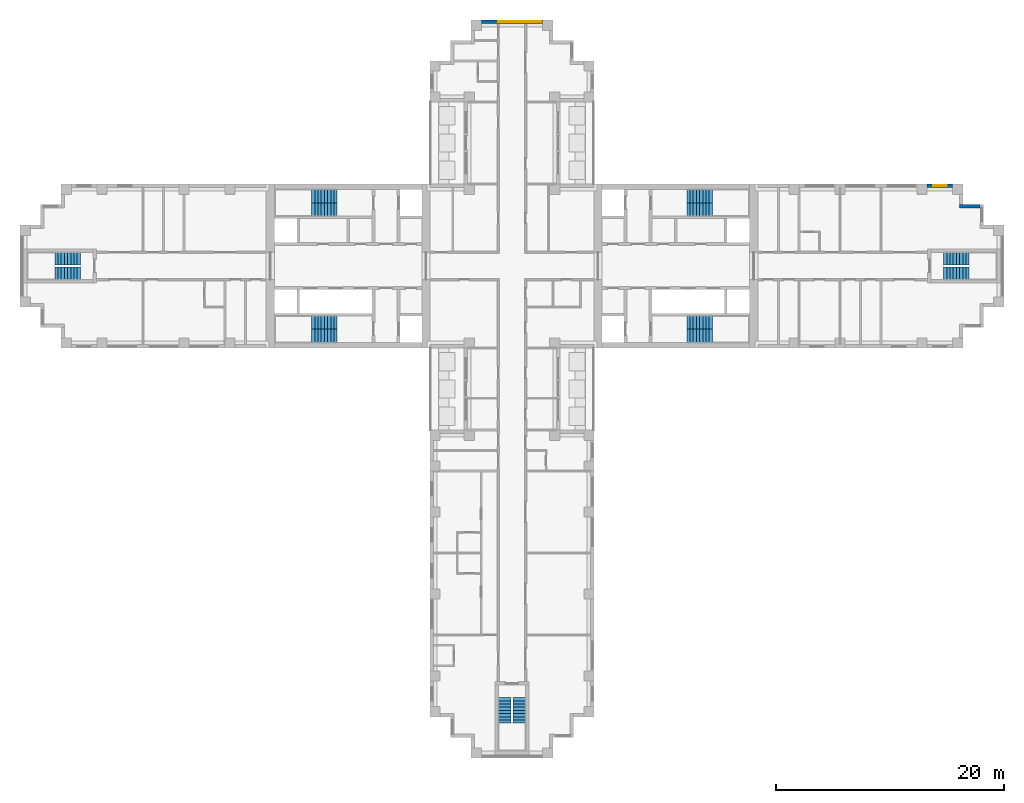
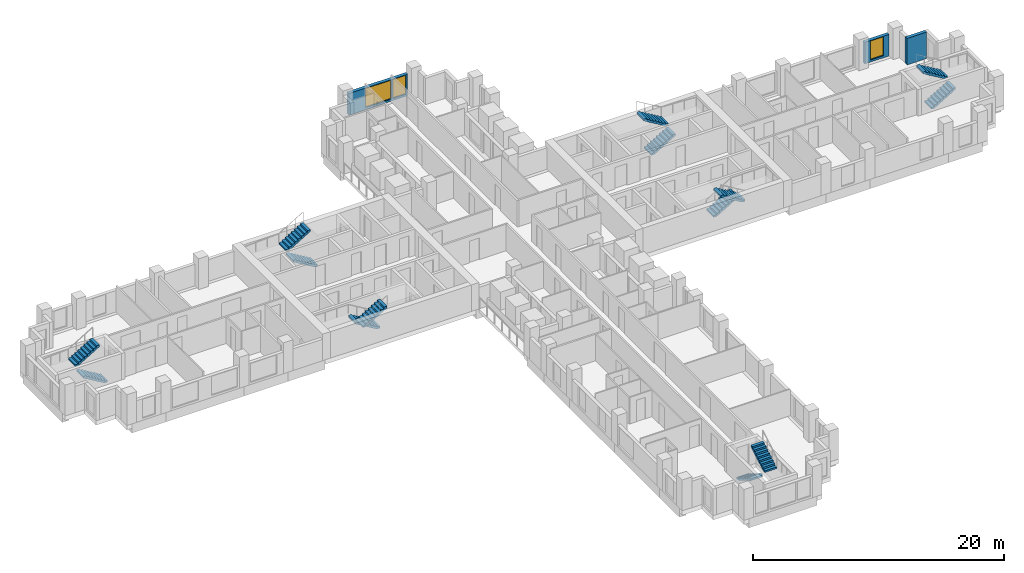
# One storey, part 11 of 13: 14 stair flights, 3 walls, 3 windows, 3 openings, 7 elements without a shape of their own.
"""IFC4 building model written with IfcOpenShell, lengths in metres."""

from ifc_helpers import new_model, si_unit, direction, frame, frame_2d, origin, place, context, subcontext, project, spatial, polyline, rectangle, outline, extrude, material, layer, layer_set, type_object, element, fill, aggregate, save


model = new_model("IFC4")

# Units and contexts
model_context = context("Model", 3, precision=1e-05, world=origin(), true_north=direction((0.0, 1.0)))
body_context = subcontext(model_context, "Body", "Model", "MODEL_VIEW")
ifc_project = project(units=[si_unit("LENGTHUNIT", "METRE"), si_unit("AREAUNIT", "SQUARE_METRE"), si_unit("VOLUMEUNIT", "CUBIC_METRE"), si_unit("PLANEANGLEUNIT", "RADIAN"), si_unit("MASSUNIT", "GRAM", prefix="KILO")], contexts=[model_context])

# Site, building, storey
site_placement = place(None, origin())
site = spatial("IfcSite", under=ifc_project, at=site_placement, CompositionType="ELEMENT")
building_placement = place(site_placement, origin())
building = spatial("IfcBuilding", under=site, at=building_placement, Name="Fustian Cross Tower", CompositionType="ELEMENT")
storey_placement = place(building_placement, frame((0.0, 0.0, 75.89990234375)))
storey = spatial("IfcBuildingStorey", under=building, at=storey_placement, Name="L23", CompositionType="ELEMENT", Elevation=75.89990234375)

# Wall
ifc_material_1 = material(Name="Dark aluminium cladding on insulated backing wall", Category="aluminium")
ifc_layer = layer(ifc_material_1, 0.300048828125)
ifc_layer_set = layer_set([ifc_layer], Name="Dark aluminium cladding on insulated backing wall")
wall_type = type_object("IfcWallType", Name="XW1 EXTERNAL WALL 300", PredefinedType="SOLIDWALL", material=ifc_layer_set)
wall_1_placement = place(storey_placement, frame((41.10009765625, 5.25, 0.0), z_axis=(0.0, 0.0, 1.0), x_axis=(-1.0, 0.0, 0.0)))
element("IfcWall", 1, at=wall_1_placement, inside=storey, type_object=wall_type, Name="External wall", PredefinedType="SOLIDWALL", context=body_context, shape_type="SweptSolid", body=[
    extrude(rectangle(XDim=1.800048828125, YDim=0.300048828125, at=frame_2d((0.89990234375, 0.0))), origin(), (0.0, 0.0, 1.0), 2.5751953125),
])

# Wall, opening, window
wall_2_placement = place(storey_placement, frame((38.699951171875, 7.050048828125, 0.0), z_axis=(0.0, 0.0, 1.0), x_axis=(-1.0, 0.0, 0.0)))
wall_2 = element("IfcWall", 2, at=wall_2_placement, inside=storey, type_object=wall_type, Name="External wall", PredefinedType="SOLIDWALL", context=body_context, shape_type="SweptSolid", body=[
    extrude(rectangle(XDim=2.25, YDim=0.300048828125, at=frame_2d((1.125, 0.0))), origin(), (0.0, 0.0, 1.0), 2.10009765625),
])
opening_1_placement = place(wall_2_placement, frame((0.52490234375, 0.0, 0.199951171875)))
opening_1 = element("IfcOpeningElement", 3, at=opening_1_placement, cuts=wall_2, Name="Opening WN3", PredefinedType="OPENING", context=body_context, shape_type="SweptSolid", body=[
    extrude(rectangle(XDim=1.199951171875, YDim=1.85009765625, at=frame_2d((0.60009765625, 0.925048828125))), frame((0.0, 0.159912109375, 0.0), z_axis=(0.0, -1.0, 0.0), x_axis=(1.0, 0.0, 0.0)), (0.0, 0.0, 1.0), 0.320068359375),
])
ifc_material_2 = material(Name="Dark anodised aluminium and double glazing", Category="aluminium")
window_type_1 = type_object("IfcWindowType", Name="WN3 WINDOW 1200X1850", PartitioningType="SINGLE_PANEL", PredefinedType="WINDOW", material=ifc_material_2)
window_1_placement = place(opening_1_placement, origin())
window_1 = element("IfcWindow", 4, at=window_1_placement, inside=storey, type_object=window_type_1, Name="Window", OverallHeight=1.85009765625, OverallWidth=1.199951171875, PartitioningType="SINGLE_PANEL", PredefinedType="WINDOW", context=body_context, shape_type="SweptSolid", body=[
    extrude(rectangle(XDim=1.199951171875, YDim=1.85009765625, at=frame_2d((0.60009765625, 0.925048828125))), frame((0.0, 0.030029296875, 0.0), z_axis=(0.0, -1.0, 0.0), x_axis=(1.0, 0.0, 0.0)), (0.0, 0.0, 1.0), 0.06005859375),
])
fill(opening_1, window_1)

# Wall, openings, windows
wall_3_placement = place(storey_placement, frame((2.699951171875, 21.449951171875, 0.0), z_axis=(0.0, 0.0, 1.0), x_axis=(-1.0, 0.0, 0.0)))
wall_3 = element("IfcWall", 5, at=wall_3_placement, inside=storey, type_object=wall_type, Name="External wall", PredefinedType="SOLIDWALL", context=body_context, shape_type="SweptSolid", body=[
    extrude(rectangle(XDim=5.39990234375, YDim=0.300048828125, at=frame_2d((2.699951171875, 0.0))), origin(), (0.0, 0.0, 1.0), 2.10009765625),
])
opening_2_placement = place(wall_3_placement, frame((1.5, 0.0, 0.199951171875)))
opening_2 = element("IfcOpeningElement", 6, at=opening_2_placement, cuts=wall_3, Name="Opening WN1", PredefinedType="OPENING", context=body_context, shape_type="SweptSolid", body=[
    extrude(rectangle(XDim=2.39990234375, YDim=1.85009765625, at=frame_2d((1.199951171875, 0.925048828125))), frame((0.0, 0.159912109375, 0.0), z_axis=(0.0, -1.0, 0.0), x_axis=(1.0, 0.0, 0.0)), (0.0, 0.0, 1.0), 0.320068359375),
])
opening_3_placement = place(wall_3_placement, frame((0.14990234375, 0.0, 0.199951171875)))
opening_3 = element("IfcOpeningElement", 7, at=opening_3_placement, cuts=wall_3, Name="Opening WN3", PredefinedType="OPENING", context=body_context, shape_type="SweptSolid", body=[
    extrude(rectangle(XDim=1.199951171875, YDim=1.85009765625, at=frame_2d((0.60009765625, 0.925048828125))), frame((0.0, 0.159912109375, 0.0), z_axis=(0.0, -1.0, 0.0), x_axis=(1.0, 0.0, 0.0)), (0.0, 0.0, 1.0), 0.320068359375),
])
ifc_material_3 = material(Name="Dark anodised aluminium and double glazing", Category="aluminium")
window_type_2 = type_object("IfcWindowType", Name="WN1 WINDOW 2400X1850", PartitioningType="SINGLE_PANEL", PredefinedType="WINDOW", material=ifc_material_3)
window_2_placement = place(opening_2_placement, origin())
window_2 = element("IfcWindow", 8, at=window_2_placement, inside=storey, type_object=window_type_2, Name="Window", OverallHeight=1.85009765625, OverallWidth=2.39990234375, PartitioningType="SINGLE_PANEL", PredefinedType="WINDOW", context=body_context, shape_type="SweptSolid", body=[
    extrude(rectangle(XDim=2.39990234375, YDim=1.85009765625, at=frame_2d((1.199951171875, 0.925048828125))), frame((0.0, 0.030029296875, 0.0), z_axis=(0.0, -1.0, 0.0), x_axis=(1.0, 0.0, 0.0)), (0.0, 0.0, 1.0), 0.06005859375),
])
fill(opening_2, window_2)
window_3_placement = place(opening_3_placement, origin())
window_3 = element("IfcWindow", 9, at=window_3_placement, inside=storey, type_object=window_type_1, Name="Window", OverallHeight=1.85009765625, OverallWidth=1.199951171875, PartitioningType="SINGLE_PANEL", PredefinedType="WINDOW", context=body_context, shape_type="SweptSolid", body=[
    extrude(rectangle(XDim=1.199951171875, YDim=1.85009765625, at=frame_2d((0.60009765625, 0.925048828125))), frame((0.0, 0.030029296875, 0.0), z_axis=(0.0, -1.0, 0.0), x_axis=(1.0, 0.0, 0.0)), (0.0, 0.0, 1.0), 0.06005859375),
])
fill(opening_3, window_3)

# Stair, stair flights
ifc_material_4 = material(Name="Concrete C50/60", Category="concrete")
stair_type_1 = type_object("IfcStairType", Name="STAIR 1100 HALF TURN", PredefinedType="HALF_TURN_STAIR", material=ifc_material_4)
stair_1_placement = place(storey_placement, origin())
stair_1 = element("IfcStair", 10, at=stair_1_placement, inside=storey, type_object=stair_type_1, Name="Stair ST6", PredefinedType="HALF_TURN_STAIR")
ifc_material_5 = material(Name="Concrete C50/60", Category="concrete")
stair_flight_type_1 = type_object("IfcStairFlightType", Name="STAIR FLIGHT 1100", PredefinedType="STRAIGHT", material=ifc_material_5)
stair_flight_1_placement = place(storey_placement, frame((-0.64990234375, -37.89990234375, 0.0), z_axis=(0.0, 0.0, 1.0), x_axis=(0.0, -1.0, 0.0)))
stair_flight_1 = element("IfcStairFlight", 11, at=stair_flight_1_placement, type_object=stair_flight_type_1, Name="ST6 flight 1", NumberOfRisers=9, NumberOfTreads=8, PredefinedType="STRAIGHT", RiserHeight=0.166666667, TreadLength=0.28, context=body_context, shape_type="SweptSolid", body=[
    extrude(outline(polyline([(0.0, 0.0), (0.0, 0.166748046875), (0.280029296875, 0.166748046875), (0.280029296875, 0.333251953125), (0.56005859375, 0.333251953125), (0.56005859375, 0.5), (0.840087890625, 0.5), (0.840087890625, 0.666748046875), (1.1201171875, 0.666748046875), (1.1201171875, 0.833251953125), (1.39990234375, 0.833251953125), (1.39990234375, 1.0), (1.679931640625, 1.0), (1.679931640625, 1.166748046875), (1.9599609375, 1.166748046875), (1.9599609375, 1.333251953125), (2.239990234375, 1.333251953125), (2.239990234375, 1.5), (2.239990234375, 1.158935546875), (0.29296875, 0.0), (0.0, 0.0)])), frame((0.0, 0.550048828125, 0.0), z_axis=(0.0, -1.0, 0.0), x_axis=(1.0, 0.0, 0.0)), (0.0, 0.0, 1.0), 1.10009765625),
])
stair_flight_2_placement = place(storey_placement, frame((0.64990234375, -40.139892578125, 1.5), z_axis=(0.0, 0.0, 1.0), x_axis=(0.0, 1.0, 0.0)))
stair_flight_2 = element("IfcStairFlight", 12, at=stair_flight_2_placement, type_object=stair_flight_type_1, Name="ST6 flight 2", NumberOfRisers=9, NumberOfTreads=8, PredefinedType="STRAIGHT", RiserHeight=0.166666667, TreadLength=0.28, context=body_context, shape_type="SweptSolid", body=[
    extrude(outline(polyline([(0.0, 0.0), (0.0, 0.166748046875), (0.280029296875, 0.166748046875), (0.280029296875, 0.333251953125), (0.56005859375, 0.333251953125), (0.56005859375, 0.5), (0.840087890625, 0.5), (0.840087890625, 0.666748046875), (1.1201171875, 0.666748046875), (1.1201171875, 0.833251953125), (1.39990234375, 0.833251953125), (1.39990234375, 1.0), (1.679931640625, 1.0), (1.679931640625, 1.166748046875), (1.9599609375, 1.166748046875), (1.9599609375, 1.333251953125), (2.239990234375, 1.333251953125), (2.239990234375, 1.5), (2.239990234375, 1.158935546875), (0.29296875, 0.0), (0.0, 0.0)])), frame((0.0, 0.550048828125, 0.0), z_axis=(0.0, -1.0, 0.0), x_axis=(1.0, 0.0, 0.0)), (0.0, 0.0, 1.0), 1.10009765625),
])
aggregate(stair_1, [stair_flight_1, stair_flight_2])

stair_2_placement = place(storey_placement, origin())
stair_2 = element("IfcStair", 13, at=stair_2_placement, inside=storey, type_object=stair_type_1, Name="Stair ST8", PredefinedType="HALF_TURN_STAIR")
stair_flight_3_placement = place(storey_placement, frame((37.89990234375, -0.64990234375, 0.0), z_axis=(0.0, 0.0, 1.0), x_axis=(1.0, 0.0, 0.0)))
stair_flight_3 = element("IfcStairFlight", 14, at=stair_flight_3_placement, type_object=stair_flight_type_1, Name="ST8 flight 1", NumberOfRisers=9, NumberOfTreads=8, PredefinedType="STRAIGHT", RiserHeight=0.166666667, TreadLength=0.28, context=body_context, shape_type="SweptSolid", body=[
    extrude(outline(polyline([(0.0, 0.0), (0.0, 0.166748046875), (0.280029296875, 0.166748046875), (0.280029296875, 0.333251953125), (0.56005859375, 0.333251953125), (0.56005859375, 0.5), (0.840087890625, 0.5), (0.840087890625, 0.666748046875), (1.1201171875, 0.666748046875), (1.1201171875, 0.833251953125), (1.39990234375, 0.833251953125), (1.39990234375, 1.0), (1.679931640625, 1.0), (1.679931640625, 1.166748046875), (1.9599609375, 1.166748046875), (1.9599609375, 1.333251953125), (2.239990234375, 1.333251953125), (2.239990234375, 1.5), (2.239990234375, 1.158935546875), (0.29296875, 0.0), (0.0, 0.0)])), frame((0.0, 0.550048828125, 0.0), z_axis=(0.0, -1.0, 0.0), x_axis=(1.0, 0.0, 0.0)), (0.0, 0.0, 1.0), 1.10009765625),
])
stair_flight_4_placement = place(storey_placement, frame((40.139892578125, 0.64990234375, 1.5), z_axis=(0.0, 0.0, 1.0), x_axis=(-1.0, 0.0, 0.0)))
stair_flight_4 = element("IfcStairFlight", 15, at=stair_flight_4_placement, type_object=stair_flight_type_1, Name="ST8 flight 2", NumberOfRisers=9, NumberOfTreads=8, PredefinedType="STRAIGHT", RiserHeight=0.166666667, TreadLength=0.28, context=body_context, shape_type="SweptSolid", body=[
    extrude(outline(polyline([(0.0, 0.0), (0.0, 0.166748046875), (0.280029296875, 0.166748046875), (0.280029296875, 0.333251953125), (0.56005859375, 0.333251953125), (0.56005859375, 0.5), (0.840087890625, 0.5), (0.840087890625, 0.666748046875), (1.1201171875, 0.666748046875), (1.1201171875, 0.833251953125), (1.39990234375, 0.833251953125), (1.39990234375, 1.0), (1.679931640625, 1.0), (1.679931640625, 1.166748046875), (1.9599609375, 1.166748046875), (1.9599609375, 1.333251953125), (2.239990234375, 1.333251953125), (2.239990234375, 1.5), (2.239990234375, 1.158935546875), (0.29296875, 0.0), (0.0, 0.0)])), frame((0.0, 0.550048828125, 0.0), z_axis=(0.0, -1.0, 0.0), x_axis=(1.0, 0.0, 0.0)), (0.0, 0.0, 1.0), 1.10009765625),
])
aggregate(stair_2, [stair_flight_3, stair_flight_4])

stair_3_placement = place(storey_placement, origin())
stair_3 = element("IfcStair", 16, at=stair_3_placement, inside=storey, type_object=stair_type_1, Name="Stair ST9", PredefinedType="HALF_TURN_STAIR")
stair_flight_5_placement = place(storey_placement, frame((-37.89990234375, -0.64990234375, 0.0), z_axis=(0.0, 0.0, 1.0), x_axis=(-1.0, 0.0, 0.0)))
stair_flight_5 = element("IfcStairFlight", 17, at=stair_flight_5_placement, type_object=stair_flight_type_1, Name="ST9 flight 1", NumberOfRisers=9, NumberOfTreads=8, PredefinedType="STRAIGHT", RiserHeight=0.166666667, TreadLength=0.28, context=body_context, shape_type="SweptSolid", body=[
    extrude(outline(polyline([(0.0, 0.0), (0.0, 0.166748046875), (0.280029296875, 0.166748046875), (0.280029296875, 0.333251953125), (0.56005859375, 0.333251953125), (0.56005859375, 0.5), (0.840087890625, 0.5), (0.840087890625, 0.666748046875), (1.1201171875, 0.666748046875), (1.1201171875, 0.833251953125), (1.39990234375, 0.833251953125), (1.39990234375, 1.0), (1.679931640625, 1.0), (1.679931640625, 1.166748046875), (1.9599609375, 1.166748046875), (1.9599609375, 1.333251953125), (2.239990234375, 1.333251953125), (2.239990234375, 1.5), (2.239990234375, 1.158935546875), (0.29296875, 0.0), (0.0, 0.0)])), frame((0.0, 0.550048828125, 0.0), z_axis=(0.0, -1.0, 0.0), x_axis=(1.0, 0.0, 0.0)), (0.0, 0.0, 1.0), 1.10009765625),
])
stair_flight_6_placement = place(storey_placement, frame((-40.139892578125, 0.64990234375, 1.5), z_axis=(0.0, 0.0, 1.0), x_axis=(1.0, 0.0, 0.0)))
stair_flight_6 = element("IfcStairFlight", 18, at=stair_flight_6_placement, type_object=stair_flight_type_1, Name="ST9 flight 2", NumberOfRisers=9, NumberOfTreads=8, PredefinedType="STRAIGHT", RiserHeight=0.166666667, TreadLength=0.28, context=body_context, shape_type="SweptSolid", body=[
    extrude(outline(polyline([(0.0, 0.0), (0.0, 0.166748046875), (0.280029296875, 0.166748046875), (0.280029296875, 0.333251953125), (0.56005859375, 0.333251953125), (0.56005859375, 0.5), (0.840087890625, 0.5), (0.840087890625, 0.666748046875), (1.1201171875, 0.666748046875), (1.1201171875, 0.833251953125), (1.39990234375, 0.833251953125), (1.39990234375, 1.0), (1.679931640625, 1.0), (1.679931640625, 1.166748046875), (1.9599609375, 1.166748046875), (1.9599609375, 1.333251953125), (2.239990234375, 1.333251953125), (2.239990234375, 1.5), (2.239990234375, 1.158935546875), (0.29296875, 0.0), (0.0, 0.0)])), frame((0.0, 0.550048828125, 0.0), z_axis=(0.0, -1.0, 0.0), x_axis=(1.0, 0.0, 0.0)), (0.0, 0.0, 1.0), 1.10009765625),
])
aggregate(stair_3, [stair_flight_5, stair_flight_6])

ifc_material_6 = material(Name="Concrete C50/60", Category="concrete")
stair_type_2 = type_object("IfcStairType", Name="STAIR 1150 HALF TURN", PredefinedType="HALF_TURN_STAIR", material=ifc_material_6)
stair_4_placement = place(storey_placement, origin())
stair_4 = element("IfcStair", 19, at=stair_4_placement, inside=storey, type_object=stair_type_2, Name="Stair ST1", PredefinedType="HALF_TURN_STAIR")
ifc_material_7 = material(Name="Concrete C50/60", Category="concrete")
stair_flight_type_2 = type_object("IfcStairFlightType", Name="STAIR FLIGHT 1150", PredefinedType="STRAIGHT", material=ifc_material_7)
stair_flight_7_placement = place(storey_placement, frame((15.35009765625, 4.97509765625, 0.0), z_axis=(0.0, 0.0, 1.0), x_axis=(1.0, 0.0, 0.0)))
stair_flight_7 = element("IfcStairFlight", 20, at=stair_flight_7_placement, type_object=stair_flight_type_2, Name="ST1 flight 1", NumberOfRisers=9, NumberOfTreads=8, PredefinedType="STRAIGHT", RiserHeight=0.166666667, TreadLength=0.28, context=body_context, shape_type="SweptSolid", body=[
    extrude(outline(polyline([(0.0, 0.0), (0.0, 0.166748046875), (0.280029296875, 0.166748046875), (0.280029296875, 0.333251953125), (0.56005859375, 0.333251953125), (0.56005859375, 0.5), (0.840087890625, 0.5), (0.840087890625, 0.666748046875), (1.1201171875, 0.666748046875), (1.1201171875, 0.833251953125), (1.39990234375, 0.833251953125), (1.39990234375, 1.0), (1.679931640625, 1.0), (1.679931640625, 1.166748046875), (1.9599609375, 1.166748046875), (1.9599609375, 1.333251953125), (2.239990234375, 1.333251953125), (2.239990234375, 1.5), (2.239990234375, 1.158935546875), (0.29296875, 0.0), (0.0, 0.0)])), frame((0.0, 0.574951171875, 0.0), z_axis=(0.0, -1.0, 0.0), x_axis=(1.0, 0.0, 0.0)), (0.0, 0.0, 1.0), 1.14990234375),
])
stair_flight_8_placement = place(storey_placement, frame((17.590087890625, 6.125, 1.5), z_axis=(0.0, 0.0, 1.0), x_axis=(-1.0, 0.0, 0.0)))
stair_flight_8 = element("IfcStairFlight", 21, at=stair_flight_8_placement, type_object=stair_flight_type_2, Name="ST1 flight 2", NumberOfRisers=9, NumberOfTreads=8, PredefinedType="STRAIGHT", RiserHeight=0.166666667, TreadLength=0.28, context=body_context, shape_type="SweptSolid", body=[
    extrude(outline(polyline([(0.0, 0.0), (0.0, 0.166748046875), (0.280029296875, 0.166748046875), (0.280029296875, 0.333251953125), (0.56005859375, 0.333251953125), (0.56005859375, 0.5), (0.840087890625, 0.5), (0.840087890625, 0.666748046875), (1.1201171875, 0.666748046875), (1.1201171875, 0.833251953125), (1.39990234375, 0.833251953125), (1.39990234375, 1.0), (1.679931640625, 1.0), (1.679931640625, 1.166748046875), (1.9599609375, 1.166748046875), (1.9599609375, 1.333251953125), (2.239990234375, 1.333251953125), (2.239990234375, 1.5), (2.239990234375, 1.158935546875), (0.29296875, 0.0), (0.0, 0.0)])), frame((0.0, 0.574951171875, 0.0), z_axis=(0.0, -1.0, 0.0), x_axis=(1.0, 0.0, 0.0)), (0.0, 0.0, 1.0), 1.14990234375),
])
aggregate(stair_4, [stair_flight_7, stair_flight_8])

stair_5_placement = place(storey_placement, origin())
stair_5 = element("IfcStair", 22, at=stair_5_placement, inside=storey, type_object=stair_type_2, Name="Stair ST2", PredefinedType="HALF_TURN_STAIR")
stair_flight_9_placement = place(storey_placement, frame((15.35009765625, -4.97509765625, 0.0), z_axis=(0.0, 0.0, 1.0), x_axis=(1.0, 0.0, 0.0)))
stair_flight_9 = element("IfcStairFlight", 23, at=stair_flight_9_placement, type_object=stair_flight_type_2, Name="ST2 flight 1", NumberOfRisers=9, NumberOfTreads=8, PredefinedType="STRAIGHT", RiserHeight=0.166666667, TreadLength=0.28, context=body_context, shape_type="SweptSolid", body=[
    extrude(outline(polyline([(0.0, 0.0), (0.0, 0.166748046875), (0.280029296875, 0.166748046875), (0.280029296875, 0.333251953125), (0.56005859375, 0.333251953125), (0.56005859375, 0.5), (0.840087890625, 0.5), (0.840087890625, 0.666748046875), (1.1201171875, 0.666748046875), (1.1201171875, 0.833251953125), (1.39990234375, 0.833251953125), (1.39990234375, 1.0), (1.679931640625, 1.0), (1.679931640625, 1.166748046875), (1.9599609375, 1.166748046875), (1.9599609375, 1.333251953125), (2.239990234375, 1.333251953125), (2.239990234375, 1.5), (2.239990234375, 1.158935546875), (0.29296875, 0.0), (0.0, 0.0)])), frame((0.0, 0.574951171875, 0.0), z_axis=(0.0, -1.0, 0.0), x_axis=(1.0, 0.0, 0.0)), (0.0, 0.0, 1.0), 1.14990234375),
])
stair_flight_10_placement = place(storey_placement, frame((17.590087890625, -6.125, 1.5), z_axis=(0.0, 0.0, 1.0), x_axis=(-1.0, 0.0, 0.0)))
stair_flight_10 = element("IfcStairFlight", 24, at=stair_flight_10_placement, type_object=stair_flight_type_2, Name="ST2 flight 2", NumberOfRisers=9, NumberOfTreads=8, PredefinedType="STRAIGHT", RiserHeight=0.166666667, TreadLength=0.28, context=body_context, shape_type="SweptSolid", body=[
    extrude(outline(polyline([(0.0, 0.0), (0.0, 0.166748046875), (0.280029296875, 0.166748046875), (0.280029296875, 0.333251953125), (0.56005859375, 0.333251953125), (0.56005859375, 0.5), (0.840087890625, 0.5), (0.840087890625, 0.666748046875), (1.1201171875, 0.666748046875), (1.1201171875, 0.833251953125), (1.39990234375, 0.833251953125), (1.39990234375, 1.0), (1.679931640625, 1.0), (1.679931640625, 1.166748046875), (1.9599609375, 1.166748046875), (1.9599609375, 1.333251953125), (2.239990234375, 1.333251953125), (2.239990234375, 1.5), (2.239990234375, 1.158935546875), (0.29296875, 0.0), (0.0, 0.0)])), frame((0.0, 0.574951171875, 0.0), z_axis=(0.0, -1.0, 0.0), x_axis=(1.0, 0.0, 0.0)), (0.0, 0.0, 1.0), 1.14990234375),
])
aggregate(stair_5, [stair_flight_9, stair_flight_10])

stair_6_placement = place(storey_placement, origin())
stair_6 = element("IfcStair", 25, at=stair_6_placement, inside=storey, type_object=stair_type_2, Name="Stair ST3", PredefinedType="HALF_TURN_STAIR")
stair_flight_11_placement = place(storey_placement, frame((-15.35009765625, 4.97509765625, 0.0), z_axis=(0.0, 0.0, 1.0), x_axis=(-1.0, 0.0, 0.0)))
stair_flight_11 = element("IfcStairFlight", 26, at=stair_flight_11_placement, type_object=stair_flight_type_2, Name="ST3 flight 1", NumberOfRisers=9, NumberOfTreads=8, PredefinedType="STRAIGHT", RiserHeight=0.166666667, TreadLength=0.28, context=body_context, shape_type="SweptSolid", body=[
    extrude(outline(polyline([(0.0, 0.0), (0.0, 0.166748046875), (0.280029296875, 0.166748046875), (0.280029296875, 0.333251953125), (0.56005859375, 0.333251953125), (0.56005859375, 0.5), (0.840087890625, 0.5), (0.840087890625, 0.666748046875), (1.1201171875, 0.666748046875), (1.1201171875, 0.833251953125), (1.39990234375, 0.833251953125), (1.39990234375, 1.0), (1.679931640625, 1.0), (1.679931640625, 1.166748046875), (1.9599609375, 1.166748046875), (1.9599609375, 1.333251953125), (2.239990234375, 1.333251953125), (2.239990234375, 1.5), (2.239990234375, 1.158935546875), (0.29296875, 0.0), (0.0, 0.0)])), frame((0.0, 0.574951171875, 0.0), z_axis=(0.0, -1.0, 0.0), x_axis=(1.0, 0.0, 0.0)), (0.0, 0.0, 1.0), 1.14990234375),
])
stair_flight_12_placement = place(storey_placement, frame((-17.590087890625, 6.125, 1.5), z_axis=(0.0, 0.0, 1.0), x_axis=(1.0, 0.0, 0.0)))
stair_flight_12 = element("IfcStairFlight", 27, at=stair_flight_12_placement, type_object=stair_flight_type_2, Name="ST3 flight 2", NumberOfRisers=9, NumberOfTreads=8, PredefinedType="STRAIGHT", RiserHeight=0.166666667, TreadLength=0.28, context=body_context, shape_type="SweptSolid", body=[
    extrude(outline(polyline([(0.0, 0.0), (0.0, 0.166748046875), (0.280029296875, 0.166748046875), (0.280029296875, 0.333251953125), (0.56005859375, 0.333251953125), (0.56005859375, 0.5), (0.840087890625, 0.5), (0.840087890625, 0.666748046875), (1.1201171875, 0.666748046875), (1.1201171875, 0.833251953125), (1.39990234375, 0.833251953125), (1.39990234375, 1.0), (1.679931640625, 1.0), (1.679931640625, 1.166748046875), (1.9599609375, 1.166748046875), (1.9599609375, 1.333251953125), (2.239990234375, 1.333251953125), (2.239990234375, 1.5), (2.239990234375, 1.158935546875), (0.29296875, 0.0), (0.0, 0.0)])), frame((0.0, 0.574951171875, 0.0), z_axis=(0.0, -1.0, 0.0), x_axis=(1.0, 0.0, 0.0)), (0.0, 0.0, 1.0), 1.14990234375),
])
aggregate(stair_6, [stair_flight_11, stair_flight_12])

stair_7_placement = place(storey_placement, origin())
stair_7 = element("IfcStair", 28, at=stair_7_placement, inside=storey, type_object=stair_type_2, Name="Stair ST4", PredefinedType="HALF_TURN_STAIR")
stair_flight_13_placement = place(storey_placement, frame((-15.35009765625, -4.97509765625, 0.0), z_axis=(0.0, 0.0, 1.0), x_axis=(-1.0, 0.0, 0.0)))
stair_flight_13 = element("IfcStairFlight", 29, at=stair_flight_13_placement, type_object=stair_flight_type_2, Name="ST4 flight 1", NumberOfRisers=9, NumberOfTreads=8, PredefinedType="STRAIGHT", RiserHeight=0.166666667, TreadLength=0.28, context=body_context, shape_type="SweptSolid", body=[
    extrude(outline(polyline([(0.0, 0.0), (0.0, 0.166748046875), (0.280029296875, 0.166748046875), (0.280029296875, 0.333251953125), (0.56005859375, 0.333251953125), (0.56005859375, 0.5), (0.840087890625, 0.5), (0.840087890625, 0.666748046875), (1.1201171875, 0.666748046875), (1.1201171875, 0.833251953125), (1.39990234375, 0.833251953125), (1.39990234375, 1.0), (1.679931640625, 1.0), (1.679931640625, 1.166748046875), (1.9599609375, 1.166748046875), (1.9599609375, 1.333251953125), (2.239990234375, 1.333251953125), (2.239990234375, 1.5), (2.239990234375, 1.158935546875), (0.29296875, 0.0), (0.0, 0.0)])), frame((0.0, 0.574951171875, 0.0), z_axis=(0.0, -1.0, 0.0), x_axis=(1.0, 0.0, 0.0)), (0.0, 0.0, 1.0), 1.14990234375),
])
stair_flight_14_placement = place(storey_placement, frame((-17.590087890625, -6.125, 1.5), z_axis=(0.0, 0.0, 1.0), x_axis=(1.0, 0.0, 0.0)))
stair_flight_14 = element("IfcStairFlight", 30, at=stair_flight_14_placement, type_object=stair_flight_type_2, Name="ST4 flight 2", NumberOfRisers=9, NumberOfTreads=8, PredefinedType="STRAIGHT", RiserHeight=0.166666667, TreadLength=0.28, context=body_context, shape_type="SweptSolid", body=[
    extrude(outline(polyline([(0.0, 0.0), (0.0, 0.166748046875), (0.280029296875, 0.166748046875), (0.280029296875, 0.333251953125), (0.56005859375, 0.333251953125), (0.56005859375, 0.5), (0.840087890625, 0.5), (0.840087890625, 0.666748046875), (1.1201171875, 0.666748046875), (1.1201171875, 0.833251953125), (1.39990234375, 0.833251953125), (1.39990234375, 1.0), (1.679931640625, 1.0), (1.679931640625, 1.166748046875), (1.9599609375, 1.166748046875), (1.9599609375, 1.333251953125), (2.239990234375, 1.333251953125), (2.239990234375, 1.5), (2.239990234375, 1.158935546875), (0.29296875, 0.0), (0.0, 0.0)])), frame((0.0, 0.574951171875, 0.0), z_axis=(0.0, -1.0, 0.0), x_axis=(1.0, 0.0, 0.0)), (0.0, 0.0, 1.0), 1.14990234375),
])
aggregate(stair_7, [stair_flight_13, stair_flight_14])

save(model, "model.ifc")
